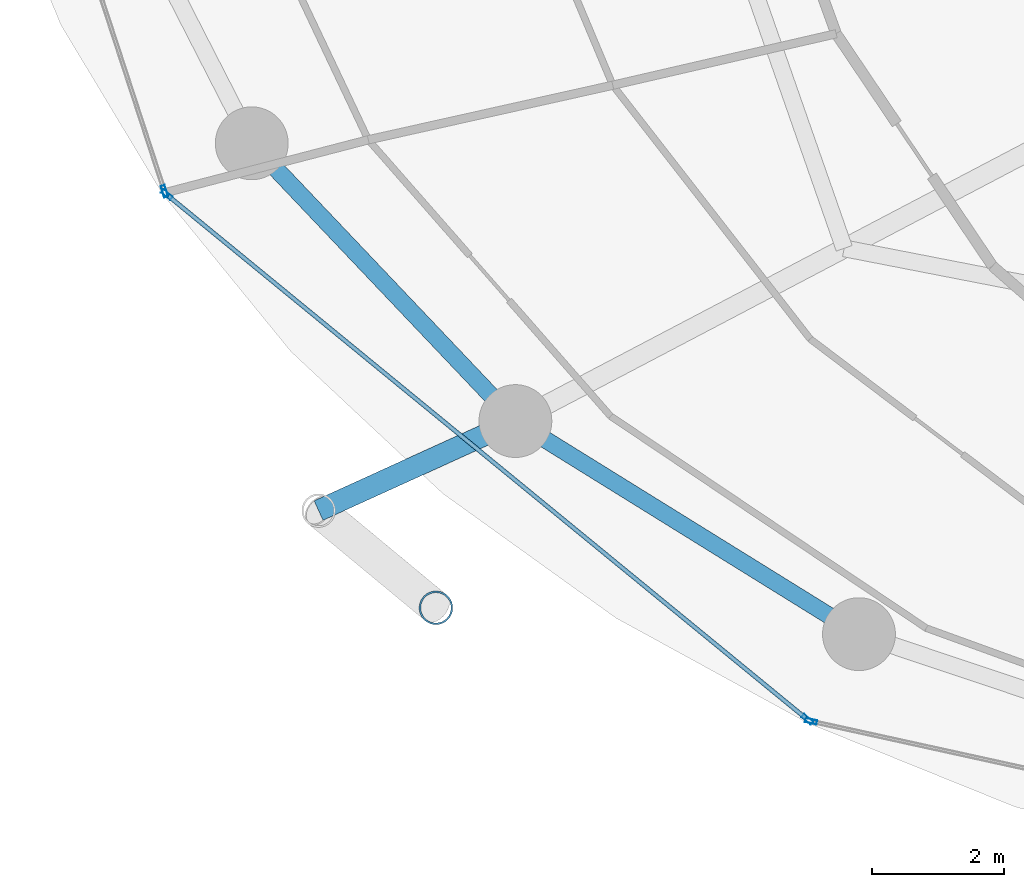
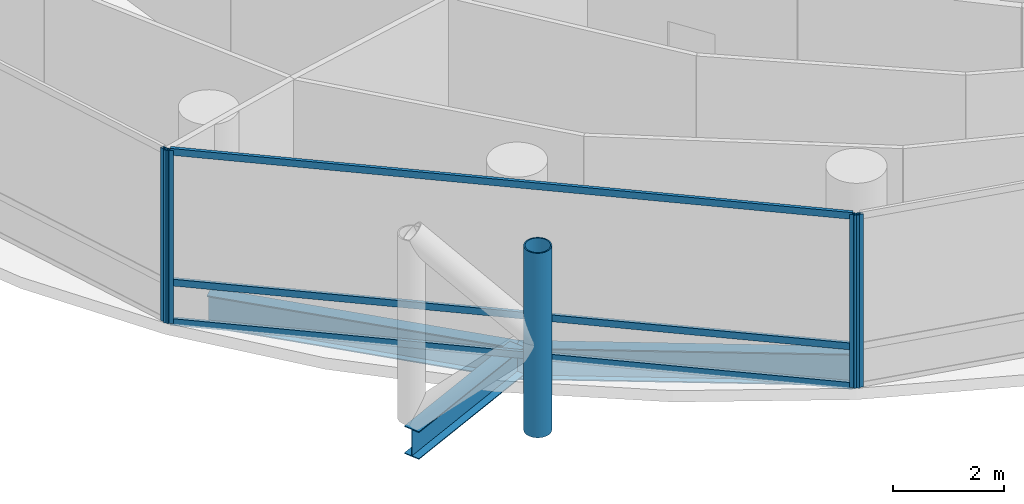
# One storey, part 2 of 26: 8 members, 3 beams, 3 elements without a shape of their own.
"""IFC4 building model written with IfcOpenShell, lengths in metres."""

from ifc_helpers import new_model, si_unit, direction, frame, origin, origin_2d, place, context, subcontext, project, spatial, hollow_rectangle, hollow_circle, i_section, extrude, material, layer, layer_set, material_profile, profile_set, type_object, element, aggregate, save


model = new_model("IFC4")

# Units and contexts
model_context = context("Model", 3, precision=1e-05, world=origin(), true_north=direction((0.0, 1.0)))
body_context = subcontext(model_context, "Body", "Model", "MODEL_VIEW")
ifc_project = project(units=[si_unit("LENGTHUNIT", "METRE"), si_unit("AREAUNIT", "SQUARE_METRE"), si_unit("VOLUMEUNIT", "CUBIC_METRE"), si_unit("PLANEANGLEUNIT", "RADIAN"), si_unit("MASSUNIT", "GRAM", prefix="KILO")], contexts=[model_context])

# Site, building, storey
site_placement = place(None, origin())
site = spatial("IfcSite", under=ifc_project, at=site_placement, CompositionType="ELEMENT")
building_placement = place(site_placement, origin())
building = spatial("IfcBuilding", under=site, at=building_placement, Name="Nuhasar Tower", CompositionType="ELEMENT")
storey_placement = place(building_placement, frame((0.0, 0.0, 93.89990234375)))
storey = spatial("IfcBuildingStorey", under=building, at=storey_placement, Name="L22", CompositionType="ELEMENT", Elevation=93.89990234375)

# Beams
ifc_material_1 = material(Name="Steel S355", Category="steel")
ifc_material_profile_1 = material_profile(ifc_material_1, i_section(OverallWidth=0.256103515625, OverallDepth=0.693115234375, WebThickness=0.014404296875, FlangeThickness=0.023681640625, at=origin_2d()), Name="W27X114")
ifc_profile_set_1 = profile_set([ifc_material_profile_1], Name="Steel S355")
beam_type_1 = type_object("IfcBeamType", Name="BM-RING-W27X114", PredefinedType="SPANDREL", material=ifc_profile_set_1)
beam_1_placement = place(storey_placement, frame((17.305908203125, 16.675048828125, -0.596923828125), z_axis=(0.688459812429, -0.725274490569, 0.0), x_axis=(0.725274490569, 0.688459812429, 0.0)))
element("IfcBeam", 1, at=beam_1_placement, inside=storey, type_object=beam_type_1, Name="L22 Perimeter Ring Spandrel 15", PredefinedType="SPANDREL", context=body_context, shape_type="SweptSolid", body=[
    extrude(i_section(OverallWidth=0.256103515625, OverallDepth=0.693115234375, WebThickness=0.014404296875, FlangeThickness=0.023681640625, at=origin_2d()), origin(), (0.0, 0.0, 1.0), 5.78271484375),
])
beam_2_placement = place(storey_placement, frame((21.287109375, 12.48095703125, -0.596923828125), z_axis=(0.849795216549, -0.527112976439, 0.0), x_axis=(0.527112976439, 0.849795216549, 0.0)))
element("IfcBeam", 2, at=beam_2_placement, inside=storey, type_object=beam_type_1, Name="L22 Perimeter Ring Spandrel 16", PredefinedType="SPANDREL", context=body_context, shape_type="SweptSolid", body=[
    extrude(i_section(OverallWidth=0.256103515625, OverallDepth=0.693115234375, WebThickness=0.014404296875, FlangeThickness=0.023681640625, at=origin_2d()), origin(), (0.0, 0.0, 1.0), 6.10498046875),
])
ifc_material_profile_2 = material_profile(ifc_material_1, i_section(OverallWidth=0.323974609375, OverallDepth=0.611083984375, WebThickness=0.0126953125, FlangeThickness=0.01904296875, at=origin_2d()), Name="W24X104")
ifc_profile_set_2 = profile_set([ifc_material_profile_2], Name="Steel S355")
beam_type_2 = type_object("IfcBeamType", Name="BM-TIE-W24X104", PredefinedType="BEAM", material=ifc_profile_set_2)
beam_3_placement = place(storey_placement, frame((21.287109375, 12.48095703125, -0.554931640625), z_axis=(-0.910243528587, -0.414073325227, 0.0), x_axis=(0.414073325227, -0.910243528587, 0.0)))
element("IfcBeam", 3, at=beam_3_placement, inside=storey, type_object=beam_type_2, Name="L22 Exoskeleton Node Tie Beam 08", PredefinedType="BEAM", context=body_context, shape_type="SweptSolid", body=[
    extrude(i_section(OverallWidth=0.323974609375, OverallDepth=0.611083984375, WebThickness=0.0126953125, FlangeThickness=0.01904296875, at=origin_2d()), origin(), (0.0, 0.0, 1.0), 3.26513671875),
])

# Curtain wall, member
ifc_material_2 = material(Name="Aluminium 6063-T6", Category="aluminium")
ifc_layer = layer(ifc_material_2, 0.199951171875)
ifc_layer_set = layer_set([ifc_layer], Name="Aluminium 6063-T6")
curtain_wall_type = type_object("IfcCurtainWallType", Name="CW-Z1-OFF", PredefinedType="NOTDEFINED", material=ifc_layer_set)
curtain_wall_1_placement = place(storey_placement, origin())
curtain_wall_1 = element("IfcCurtainWall", 4, at=curtain_wall_1_placement, inside=storey, type_object=curtain_wall_type, Name="L22 Unitised Curtain Wall 07", PredefinedType="NOTDEFINED")
ifc_material_profile_3 = material_profile(ifc_material_2, hollow_rectangle(XDim=0.06494140625, YDim=0.179931640625, WallThickness=0.0048828125, at=origin_2d()), Name="CWM-2")
ifc_profile_set_3 = profile_set([ifc_material_profile_3], Name="Aluminium 6063-T6")
member_type_1 = type_object("IfcMemberType", Name="CW-MUL-S2", PredefinedType="MULLION", material=ifc_profile_set_3)
member_1_placement = place(storey_placement, frame((15.98779296875, 15.950927734375, 0.0), z_axis=(0.0, 0.0, 1.0), x_axis=(0.950467534571, 0.310823849997, 0.0)))
member_1 = element("IfcMember", 5, at=member_1_placement, type_object=member_type_1, Name="CW-Z1 mullion 2", PredefinedType="MULLION", context=body_context, shape_type="SweptSolid", body=[
    extrude(hollow_rectangle(XDim=0.06494140625, YDim=0.179931640625, WallThickness=0.0048828125, at=origin_2d()), origin(), (0.0, 0.0, 1.0), 3.800048828125),
])
aggregate(curtain_wall_1, [member_1])

# Curtain wall, members
curtain_wall_2_placement = place(storey_placement, origin())
curtain_wall_2 = element("IfcCurtainWall", 6, at=curtain_wall_2_placement, inside=storey, type_object=curtain_wall_type, Name="L22 Unitised Curtain Wall 08", PredefinedType="NOTDEFINED")
member_2_placement = place(storey_placement, frame((16.023193359375, 15.8994140625, 0.0), z_axis=(0.0, 0.0, 1.0), x_axis=(0.633744593376, 0.773542364946, 0.0)))
member_2 = element("IfcMember", 7, at=member_2_placement, type_object=member_type_1, Name="CW-Z1 mullion 1", PredefinedType="MULLION", context=body_context, shape_type="SweptSolid", body=[
    extrude(hollow_rectangle(XDim=0.06494140625, YDim=0.179931640625, WallThickness=0.0048828125, at=origin_2d()), origin(), (0.0, 0.0, 1.0), 3.800048828125),
])
member_3_placement = place(storey_placement, frame((25.69482421875, 7.9755859375, 0.0), z_axis=(0.0, 0.0, 1.0), x_axis=(0.633744593376, 0.773542364946, 0.0)))
member_3 = element("IfcMember", 8, at=member_3_placement, type_object=member_type_1, Name="CW-Z1 mullion 2", PredefinedType="MULLION", context=body_context, shape_type="SweptSolid", body=[
    extrude(hollow_rectangle(XDim=0.06494140625, YDim=0.179931640625, WallThickness=0.0048828125, at=origin_2d()), origin(), (0.0, 0.0, 1.0), 3.800048828125),
])

# Curtain wall, member
curtain_wall_3_placement = place(storey_placement, origin())
curtain_wall_3 = element("IfcCurtainWall", 9, at=curtain_wall_3_placement, inside=storey, type_object=curtain_wall_type, Name="L22 Unitised Curtain Wall 09", PredefinedType="NOTDEFINED")
member_4_placement = place(storey_placement, frame((25.751708984375, 7.947998046875, 0.0), z_axis=(0.0, 0.0, 1.0), x_axis=(0.214398737637, 0.976746221544, 0.0)))
member_4 = element("IfcMember", 10, at=member_4_placement, type_object=member_type_1, Name="CW-Z1 mullion 1", PredefinedType="MULLION", context=body_context, shape_type="SweptSolid", body=[
    extrude(hollow_rectangle(XDim=0.06494140625, YDim=0.179931640625, WallThickness=0.0048828125, at=origin_2d()), origin(), (0.0, 0.0, 1.0), 3.800048828125),
])
aggregate(curtain_wall_3, [member_4])

# Member
ifc_material_profile_4 = material_profile(ifc_material_2, hollow_rectangle(XDim=0.06494140625, YDim=0.14990234375, WallThickness=0.00439453125, at=origin_2d()), Name="CWT-2")
ifc_profile_set_4 = profile_set([ifc_material_profile_4], Name="Aluminium 6063-T6")
member_type_2 = type_object("IfcMemberType", Name="CW-TRN-S2", PredefinedType="USERDEFINED", material=ifc_profile_set_4)
member_5_placement = place(storey_placement, frame((16.04833984375, 15.87890625, 0.03271484375), z_axis=(0.773531229158, -0.633758185365, 0.0), x_axis=(0.633758185365, 0.773531229158, 0.0)))
member_5 = element("IfcMember", 11, at=member_5_placement, type_object=member_type_2, Name="CW-Z1 transom 1.1", ObjectType="TRANSOM", PredefinedType="USERDEFINED", context=body_context, shape_type="SweptSolid", body=[
    extrude(hollow_rectangle(XDim=0.06494140625, YDim=0.14990234375, WallThickness=0.00439453125, at=origin_2d()), origin(), (0.0, 0.0, 1.0), 12.438232421875),
])

member_6_placement = place(storey_placement, frame((16.04833984375, 15.87890625, 0.900146484375), z_axis=(0.773531229158, -0.633758185365, 0.0), x_axis=(0.633758185365, 0.773531229158, 0.0)))
member_6 = element("IfcMember", 12, at=member_6_placement, type_object=member_type_2, Name="CW-Z1 transom 1.2", ObjectType="TRANSOM", PredefinedType="USERDEFINED", context=body_context, shape_type="SweptSolid", body=[
    extrude(hollow_rectangle(XDim=0.06494140625, YDim=0.14990234375, WallThickness=0.00439453125, at=origin_2d()), origin(), (0.0, 0.0, 1.0), 12.438232421875),
])

member_7_placement = place(storey_placement, frame((16.04833984375, 15.87890625, 3.767578125), z_axis=(0.773531229158, -0.633758185365, 0.0), x_axis=(0.633758185365, 0.773531229158, 0.0)))
member_7 = element("IfcMember", 13, at=member_7_placement, type_object=member_type_2, Name="CW-Z1 transom 1.3", ObjectType="TRANSOM", PredefinedType="USERDEFINED", context=body_context, shape_type="SweptSolid", body=[
    extrude(hollow_rectangle(XDim=0.06494140625, YDim=0.14990234375, WallThickness=0.00439453125, at=origin_2d()), origin(), (0.0, 0.0, 1.0), 12.438232421875),
])

aggregate(curtain_wall_2, [member_2, member_3, member_5, member_6, member_7])

ifc_material_3 = material(Name="Steel S460", Category="steel")
ifc_material_profile_5 = material_profile(ifc_material_3, hollow_circle(Radius=0.25390625, WallThickness=0.025390625, at=origin_2d()), Name="HSS508X25.4")
ifc_profile_set_5 = profile_set([ifc_material_profile_5], Name="Steel S460")
member_type_3 = type_object("IfcMemberType", Name="EXO-BRONZE-508", PredefinedType="BRACE", material=ifc_profile_set_5)
member_8_placement = place(storey_placement, frame((20.0869140625, 9.660888671875, 0.0), z_axis=(0.0, 0.0, 1.0), x_axis=(1.0, 0.0, 0.0)))
element("IfcMember", 14, at=member_8_placement, inside=storey, type_object=member_type_3, Name="L22 Exoskeleton Chord Column EC-08B", PredefinedType="BRACE", context=body_context, shape_type="SweptSolid", body=[
    extrude(hollow_circle(Radius=0.25390625, WallThickness=0.025390625, at=origin_2d()), origin(), (0.0, 0.0, 1.0), 4.050048828125),
])

save(model, "model.ifc")
